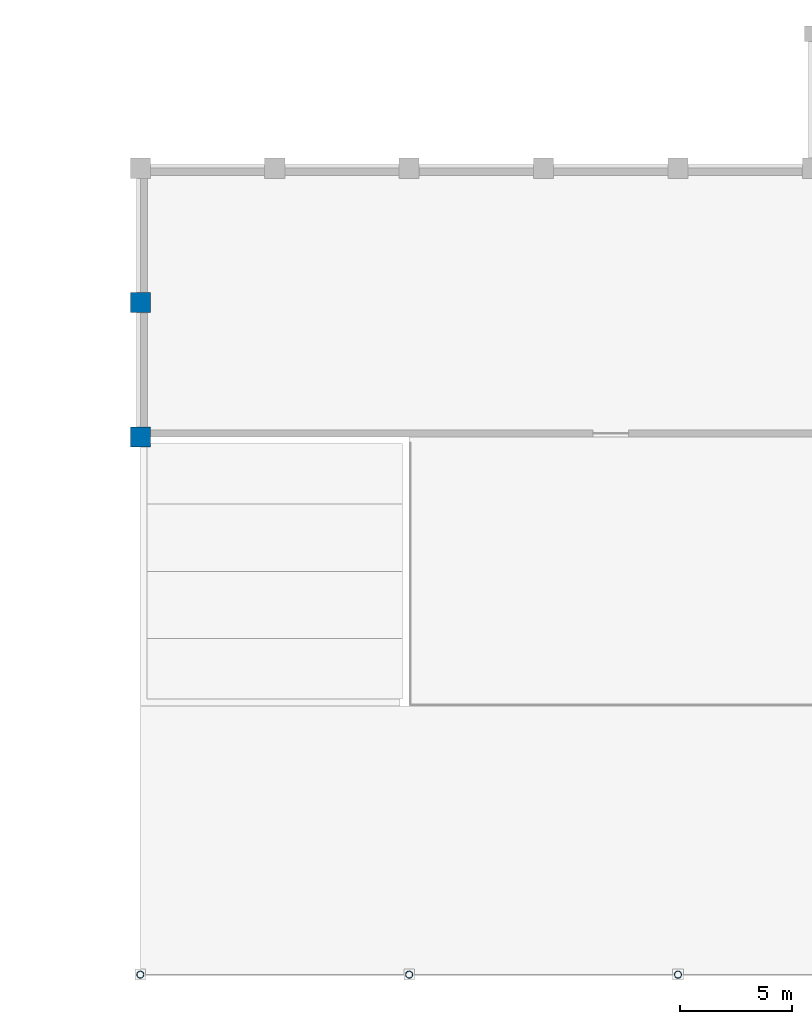
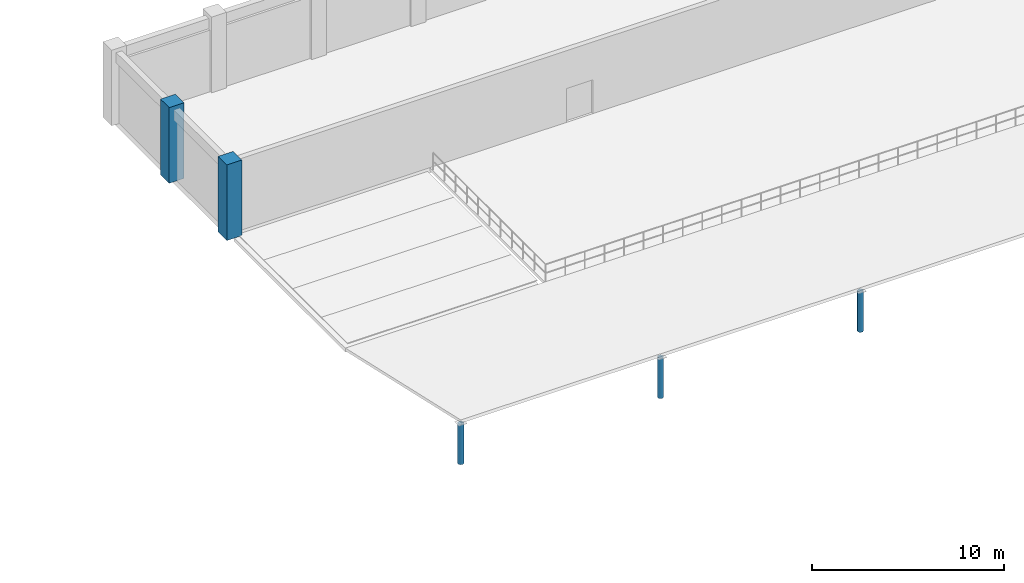
# One storey, part 3 of 112: 5 columns.
"""IFC4 building model written with IfcOpenShell, lengths in metres."""

from ifc_helpers import new_model, si_unit, direction, frame, origin, origin_2d, place, context, subcontext, project, spatial, rectangle, hollow_circle, extrude, material, material_profile, profile_set, type_object, element, save


model = new_model("IFC4")

# Units and contexts
model_context = context("Model", 3, precision=1e-05, world=origin(), true_north=direction((0.0, 1.0)))
body_context = subcontext(model_context, "Body", "Model", "MODEL_VIEW")
ifc_project = project(units=[si_unit("LENGTHUNIT", "METRE"), si_unit("AREAUNIT", "SQUARE_METRE"), si_unit("VOLUMEUNIT", "CUBIC_METRE"), si_unit("PLANEANGLEUNIT", "RADIAN"), si_unit("MASSUNIT", "GRAM", prefix="KILO"), si_unit("THERMODYNAMICTEMPERATUREUNIT", "KELVIN"), si_unit("POWERUNIT", "WATT")], contexts=[model_context])

# Site, building, storey
site_placement = place(None, origin())
site = spatial("IfcSite", under=ifc_project, at=site_placement, CompositionType="ELEMENT")
building_placement = place(site_placement, origin())
building = spatial("IfcBuilding", under=site, at=building_placement, Name="Phaisarnlok Congress Hotel", CompositionType="ELEMENT")
storey_placement = place(building_placement, frame((0.0, 0.0, 19.800048828125)))
storey = spatial("IfcBuildingStorey", under=building, at=storey_placement, Name="L04", CompositionType="ELEMENT", Elevation=19.800048828125)

# Columns
ifc_material_1 = material(Name="Concrete C50/60", Category="concrete")
ifc_material_profile_1 = material_profile(ifc_material_1, rectangle(XDim=0.89990234375, YDim=0.89990234375, at=origin_2d()), Name="RC 900x900")
ifc_profile_set_1 = profile_set([ifc_material_profile_1], Name="Concrete C50/60")
column_type_1 = type_object("IfcColumnType", Name="COL-RC-900", PredefinedType="COLUMN", material=ifc_profile_set_1)
for number, where, z_axis, x_axis, name in (
    (1, (96.0, 24.0, 0.0), (0.0, 0.0, 1.0), (1.0, 0.0, 0.0), "Column C-08 (L04)"),
    (2, (96.0, 30.0, 0.0), (0.0, 0.0, 1.0), (1.0, 0.0, 0.0), "Column C-08 (L04)"),
):
    element("IfcColumn", number, at=place(storey_placement, frame(where, z_axis=z_axis, x_axis=x_axis)), inside=storey, type_object=column_type_1, Name=name, PredefinedType="COLUMN", context=body_context, shape_type="SweptSolid", body=[
        extrude(rectangle(XDim=0.89990234375, YDim=0.89990234375, at=origin_2d()), origin(), (0.0, 0.0, 1.0), 4.800048828125),
    ])
ifc_material_2 = material(Name="Steel S355", Category="steel")
ifc_material_profile_2 = material_profile(ifc_material_2, hollow_circle(Radius=0.161865234375, WallThickness=0.01611328125, at=origin_2d()), Name="CHS 323.9x16")
ifc_profile_set_2 = profile_set([ifc_material_profile_2], Name="Steel S355")
column_type_2 = type_object("IfcColumnType", Name="COL-STL-CHS324-EXT", PredefinedType="COLUMN", material=ifc_profile_set_2)
for number, where, z_axis, x_axis, name in (
    (3, (96.0, 0.0, 0.0), (0.0, 0.0, 1.0), (1.0, 0.0, 0.0), "Ballroom proscenium roof post SC-01E"),
    (4, (108.0, 0.0, 0.0), (0.0, 0.0, 1.0), (1.0, 0.0, 0.0), "Ballroom proscenium roof post SC-01E"),
    (5, (120.0, 0.0, 0.0), (0.0, 0.0, 1.0), (1.0, 0.0, 0.0), "Ballroom proscenium roof post SC-01E"),
):
    element("IfcColumn", number, at=place(storey_placement, frame(where, z_axis=z_axis, x_axis=x_axis)), inside=storey, type_object=column_type_2, Name=name, PredefinedType="COLUMN", context=body_context, shape_type="SweptSolid", body=[
        extrude(hollow_circle(Radius=0.161865234375, WallThickness=0.01611328125, at=origin_2d()), origin(), (0.0, 0.0, 1.0), 2.56005859375),
    ])

save(model, "model.ifc")
